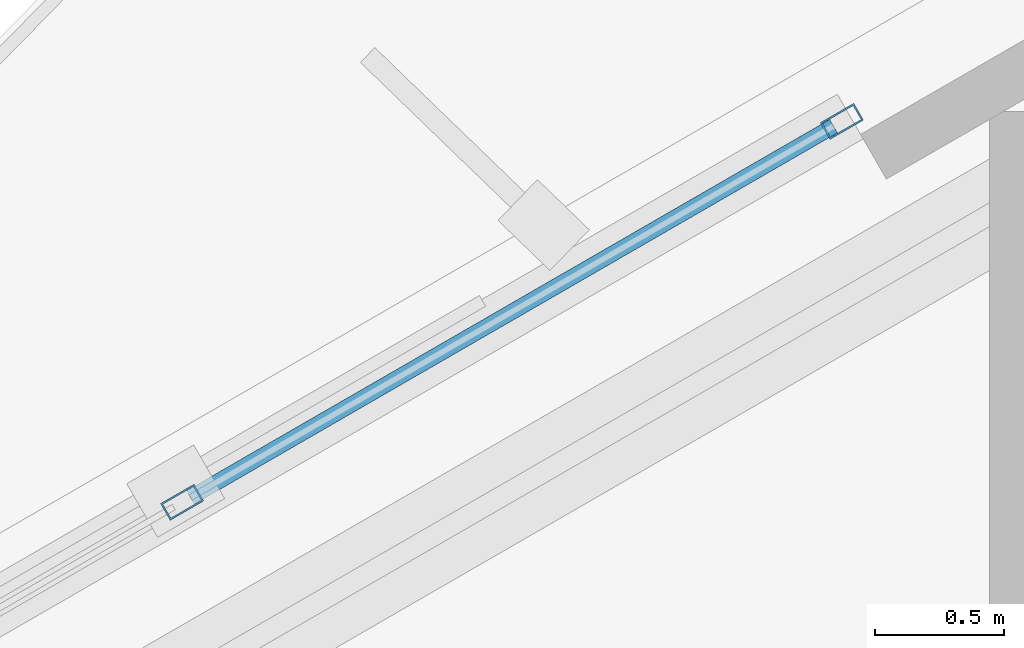
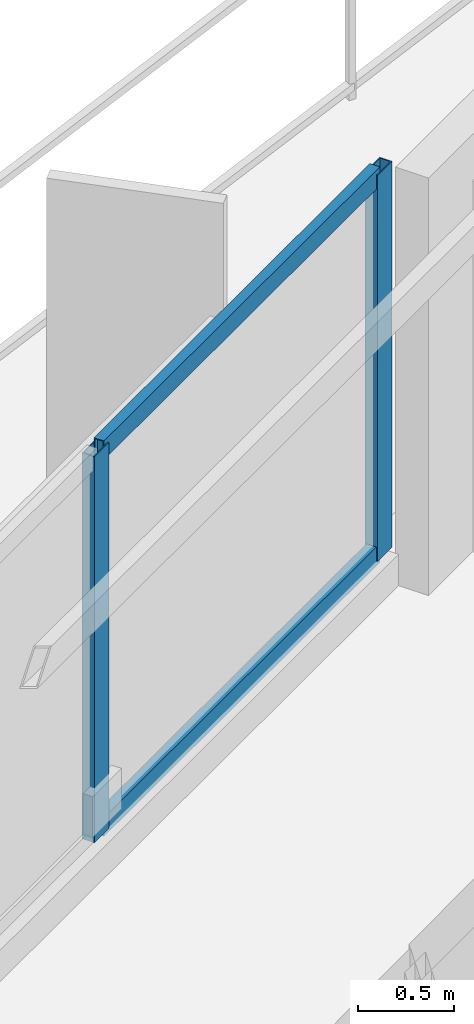
# One storey, part 9 of 19: 4 members, 1 element without a shape of its own.
"""IFC4 building model written with IfcOpenShell, lengths in metres."""

from ifc_helpers import new_model, si_unit, direction, frame, origin, origin_2d, place, context, subcontext, project, spatial, hollow_rectangle, extrude, material, layer, layer_set, material_profile, profile_set, type_object, element, aggregate, save


model = new_model("IFC4")

# Units and contexts
model_context = context("Model", 3, precision=1e-05, world=origin(), true_north=direction((0.0, 1.0)))
body_context = subcontext(model_context, "Body", "Model", "MODEL_VIEW")
ifc_project = project(units=[si_unit("LENGTHUNIT", "METRE"), si_unit("AREAUNIT", "SQUARE_METRE"), si_unit("VOLUMEUNIT", "CUBIC_METRE"), si_unit("PLANEANGLEUNIT", "RADIAN"), si_unit("MASSUNIT", "GRAM", prefix="KILO")], contexts=[model_context])

# Site, building, storey
site_placement = place(None, origin())
site = spatial("IfcSite", under=ifc_project, at=site_placement, CompositionType="ELEMENT")
building_placement = place(site_placement, origin())
building = spatial("IfcBuilding", under=site, at=building_placement, Name="Mersakhor Tower and Convention Hall", CompositionType="ELEMENT")
storey_placement = place(building_placement, frame((0.0, 0.0, 45.60009765625)))
storey = spatial("IfcBuildingStorey", under=building, at=storey_placement, Name="L12", CompositionType="ELEMENT", Elevation=45.60009765625)

# Curtain wall, members
ifc_material_1 = material(Name="Dark solar low-E aluminium curtain wall", Category="aluminium")
ifc_layer = layer(ifc_material_1, 0.159912109375)
ifc_layer_set = layer_set([ifc_layer], Name="Dark solar low-E aluminium curtain wall")
curtain_wall_type = type_object("IfcCurtainWallType", Name="CW-SYS-01", PredefinedType="USERDEFINED", material=ifc_layer_set)
curtain_wall_placement = place(storey_placement, origin())
curtain_wall = element("IfcCurtainWall", 1, at=curtain_wall_placement, inside=storey, type_object=curtain_wall_type, Name="L12 Dark-Glass Curtain Wall F1-B2", ObjectType="CURTAIN WALL", PredefinedType="USERDEFINED")
ifc_material_2 = material(Name="Anodised aluminium EN AW-6063 T6", Category="aluminium")
ifc_material_profile_1 = material_profile(ifc_material_2, hollow_rectangle(XDim=0.074951171875, YDim=0.14990234375, WallThickness=0.00634765625, at=origin_2d()), Name="RHS 150x75x6.3")
ifc_profile_set_1 = profile_set([ifc_material_profile_1], Name="Anodised aluminium EN AW-6063 T6")
member_type_1 = type_object("IfcMemberType", Name="CWM-150x75", PredefinedType="MULLION", material=ifc_profile_set_1)
member_1_placement = place(storey_placement, frame((24.167236328125, 41.107177734375, 0.199951171875), z_axis=(0.0, 0.0, 1.0), x_axis=(-0.50000344889, 0.866023412558, 0.0)))
member_1 = element("IfcMember", 2, at=member_1_placement, type_object=member_type_1, Name="CW-01 mullion 4", PredefinedType="MULLION", context=body_context, shape_type="SweptSolid", body=[
    extrude(hollow_rectangle(XDim=0.074951171875, YDim=0.14990234375, WallThickness=0.00634765625, at=origin_2d()), origin(), (0.0, 0.0, 1.0), 2.4599609375),
])
member_2_placement = place(storey_placement, frame((26.72705078125, 42.5849609375, 0.199951171875), z_axis=(0.0, 0.0, 1.0), x_axis=(-0.50000344889, 0.866023412558, 0.0)))
member_2 = element("IfcMember", 3, at=member_2_placement, type_object=member_type_1, Name="CW-01 mullion 5", PredefinedType="MULLION", context=body_context, shape_type="SweptSolid", body=[
    extrude(hollow_rectangle(XDim=0.074951171875, YDim=0.14990234375, WallThickness=0.00634765625, at=origin_2d()), origin(), (0.0, 0.0, 1.0), 2.4599609375),
])
ifc_material_3 = material(Name="Anodised aluminium EN AW-6063 T6", Category="aluminium")
ifc_material_profile_2 = material_profile(ifc_material_3, hollow_rectangle(XDim=0.06005859375, YDim=0.1201171875, WallThickness=0.0048828125, at=origin_2d()), Name="RHS 120x60x5")
ifc_profile_set_2 = profile_set([ifc_material_profile_2], Name="Anodised aluminium EN AW-6063 T6")
member_type_2 = type_object("IfcMemberType", Name="CWT-120x60", PredefinedType="USERDEFINED", material=ifc_profile_set_2)
member_3_placement = place(storey_placement, frame((24.19970703125, 41.1259765625, 0.22998046875), z_axis=(0.866023290103, 0.500003660985, 0.0), x_axis=(-0.500003660985, 0.866023290103, 0.0)))
member_3 = element("IfcMember", 4, at=member_3_placement, type_object=member_type_2, Name="CW-01 transom 4.1", ObjectType="TRANSOM", PredefinedType="USERDEFINED", context=body_context, shape_type="SweptSolid", body=[
    extrude(hollow_rectangle(XDim=0.06005859375, YDim=0.1201171875, WallThickness=0.0048828125, at=origin_2d()), origin(), (0.0, 0.0, 1.0), 2.880859375),
])
member_4_placement = place(storey_placement, frame((24.19970703125, 41.1259765625, 2.6298828125), z_axis=(0.866023290103, 0.500003660985, 0.0), x_axis=(-0.500003660985, 0.866023290103, 0.0)))
member_4 = element("IfcMember", 5, at=member_4_placement, type_object=member_type_2, Name="CW-01 transom 4.2", ObjectType="TRANSOM", PredefinedType="USERDEFINED", context=body_context, shape_type="SweptSolid", body=[
    extrude(hollow_rectangle(XDim=0.06005859375, YDim=0.1201171875, WallThickness=0.0048828125, at=origin_2d()), origin(), (0.0, 0.0, 1.0), 2.880859375),
])
aggregate(curtain_wall, [member_1, member_2, member_3, member_4])

save(model, "model.ifc")
